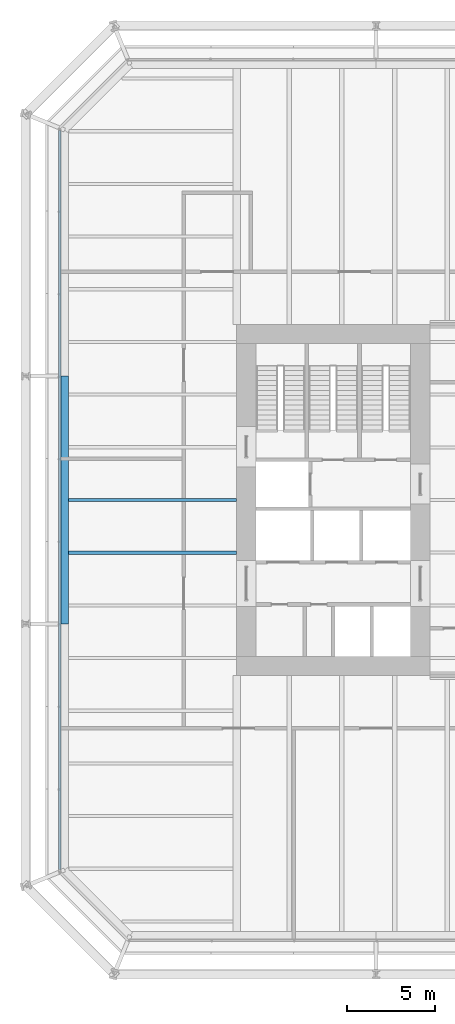
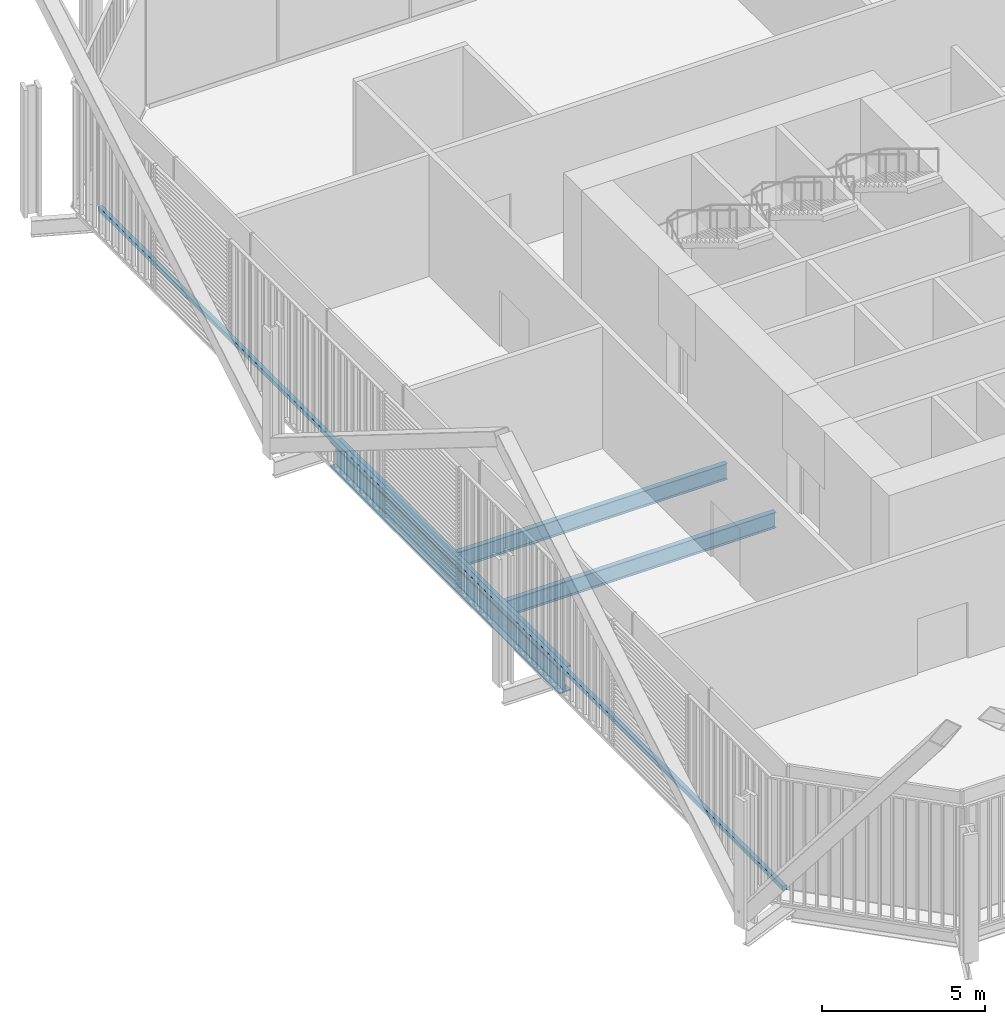
# One storey, part 6 of 22: 3 beams, 1 member, 1 element without a shape of its own.
"""IFC4 building model written with IfcOpenShell, lengths in metres."""

from ifc_helpers import new_model, si_unit, direction, frame, origin, origin_2d, place, context, subcontext, project, spatial, rectangle, i_section, extrude, material, layer, layer_set, material_profile, profile_set, type_object, element, aggregate, save


model = new_model("IFC4")

# Units and contexts
model_context = context("Model", 3, precision=1e-05, world=origin(), true_north=direction((0.0, 1.0)))
body_context = subcontext(model_context, "Body", "Model", "MODEL_VIEW")
ifc_project = project(units=[si_unit("LENGTHUNIT", "METRE"), si_unit("AREAUNIT", "SQUARE_METRE"), si_unit("VOLUMEUNIT", "CUBIC_METRE"), si_unit("PLANEANGLEUNIT", "RADIAN"), si_unit("MASSUNIT", "GRAM", prefix="KILO")], contexts=[model_context])

# Site, building, storey
site_placement = place(None, origin())
site = spatial("IfcSite", under=ifc_project, at=site_placement, CompositionType="ELEMENT")
building_placement = place(site_placement, origin())
building = spatial("IfcBuilding", under=site, at=building_placement, Name="Millrace Tower", CompositionType="ELEMENT")
storey_placement = place(building_placement, frame((0.0, 0.0, 20.89990234375)))
storey = spatial("IfcBuildingStorey", under=building, at=storey_placement, Name="L05", CompositionType="ELEMENT", Elevation=20.89990234375)

# Curtain wall, member
ifc_material_1 = material(Name="Aluminium and glass", Category="aluminium")
ifc_layer = layer(ifc_material_1, 0.14990234375)
ifc_layer_set = layer_set([ifc_layer], Name="Aluminium and glass")
curtain_wall_type = type_object("IfcCurtainWallType", Name="CW-2 data hall insulated curtain wall", PredefinedType="NOTDEFINED", material=ifc_layer_set)
curtain_wall_placement = place(storey_placement, origin())
curtain_wall = element("IfcCurtainWall", 1, at=curtain_wall_placement, inside=storey, type_object=curtain_wall_type, Name="Curtain wall A-F08 L05", PredefinedType="NOTDEFINED")
ifc_material_2 = material(Name="Aluminium", Category="aluminium")
ifc_material_profile_1 = material_profile(ifc_material_2, rectangle(XDim=0.14990234375, YDim=0.159912109375, at=origin_2d()))
ifc_profile_set_1 = profile_set([ifc_material_profile_1], Name="Aluminium")
member_type = type_object("IfcMemberType", Name="CW-2 data hall insulated curtain wall transom", PredefinedType="USERDEFINED", material=ifc_profile_set_1)
member_placement = place(storey_placement, frame((-25.074951171875, 21.050048828125, 0.080078125), z_axis=(0.0, -1.0, 0.0), x_axis=(1.0, 0.0, 0.0)))
member = element("IfcMember", 2, at=member_placement, type_object=member_type, Name="CW2 transom A-F08.1", ObjectType="TRANSOM", PredefinedType="USERDEFINED", context=body_context, shape_type="SweptSolid", body=[
    extrude(rectangle(XDim=0.14990234375, YDim=0.159912109375, at=origin_2d()), origin(), (0.0, 0.0, 1.0), 42.10009765625),
])
aggregate(curtain_wall, [member])

# Beams
ifc_material_3 = material(Name="Steel ASTM A992 Grade 50", Category="steel")
ifc_material_profile_2 = material_profile(ifc_material_3, i_section(OverallWidth=0.1787109375, OverallDepth=0.60205078125, WebThickness=0.010986328125, FlangeThickness=0.014892578125, FilletRadius=0.0126953125, at=origin_2d()))
ifc_profile_set_2 = profile_set([ifc_material_profile_2], Name="Steel ASTM A992 Grade 50")
beam_type_1 = type_object("IfcBeamType", Name="Floor beam W24x62", PredefinedType="JOIST", material=ifc_profile_set_2)
for number, where, z_axis, x_axis, name in (
    (3, (-24.578369140625, -3.0, -0.52587890625), (1.0, 0.0, 0.0), (0.0, 1.0, 0.0), "BM-A-L05-S1-S018"),
    (4, (-24.578369140625, 0.0, -0.52587890625), (1.0, 0.0, 0.0), (0.0, 1.0, 0.0), "BM-A-L05-S1-S021"),
):
    element("IfcBeam", number, at=place(storey_placement, frame(where, z_axis=z_axis, x_axis=x_axis)), inside=storey, type_object=beam_type_1, Name=name, PredefinedType="JOIST", context=body_context, shape_type="SweptSolid", body=[
        extrude(i_section(OverallWidth=0.1787109375, OverallDepth=0.60205078125, WebThickness=0.010986328125, FlangeThickness=0.014892578125, FilletRadius=0.0126953125, at=origin_2d()), origin(), (0.0, 0.0, 1.0), 9.578369140625),
    ])
ifc_material_4 = material(Name="Steel ASTM A992 Grade 50", Category="steel")
ifc_material_profile_3 = material_profile(ifc_material_4, i_section(OverallWidth=0.421630859375, OverallDepth=0.937255859375, WebThickness=0.021240234375, FlangeThickness=0.03662109375, FilletRadius=0.024169921875, at=origin_2d()))
ifc_profile_set_3 = profile_set([ifc_material_profile_3], Name="Steel ASTM A992 Grade 50")
beam_type_2 = type_object("IfcBeamType", Name="Ring beam medium span W36x262", PredefinedType="SPANDREL", material=ifc_profile_set_3)
beam_placement = place(storey_placement, frame((-24.7890625, -7.050048828125, -0.693603515625), z_axis=(0.0, 1.0, 0.0), x_axis=(-1.0, 0.0, 0.0)))
element("IfcBeam", 5, at=beam_placement, inside=storey, type_object=beam_type_2, Name="RNG-A-L05-S1-02", PredefinedType="SPANDREL", context=body_context, shape_type="SweptSolid", body=[
    extrude(i_section(OverallWidth=0.421630859375, OverallDepth=0.937255859375, WebThickness=0.021240234375, FlangeThickness=0.03662109375, FilletRadius=0.024169921875, at=origin_2d()), origin(), (0.0, 0.0, 1.0), 14.10009765625),
])

save(model, "model.ifc")
